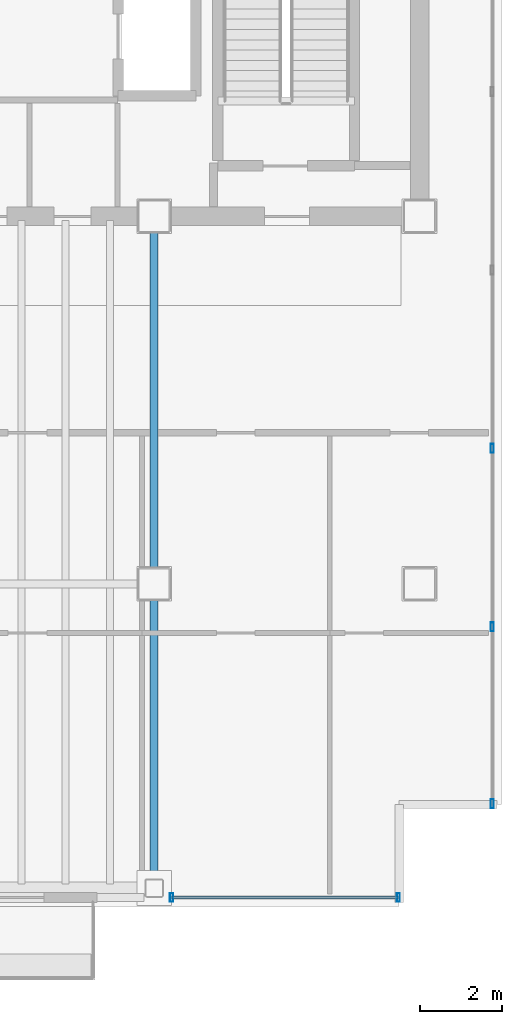
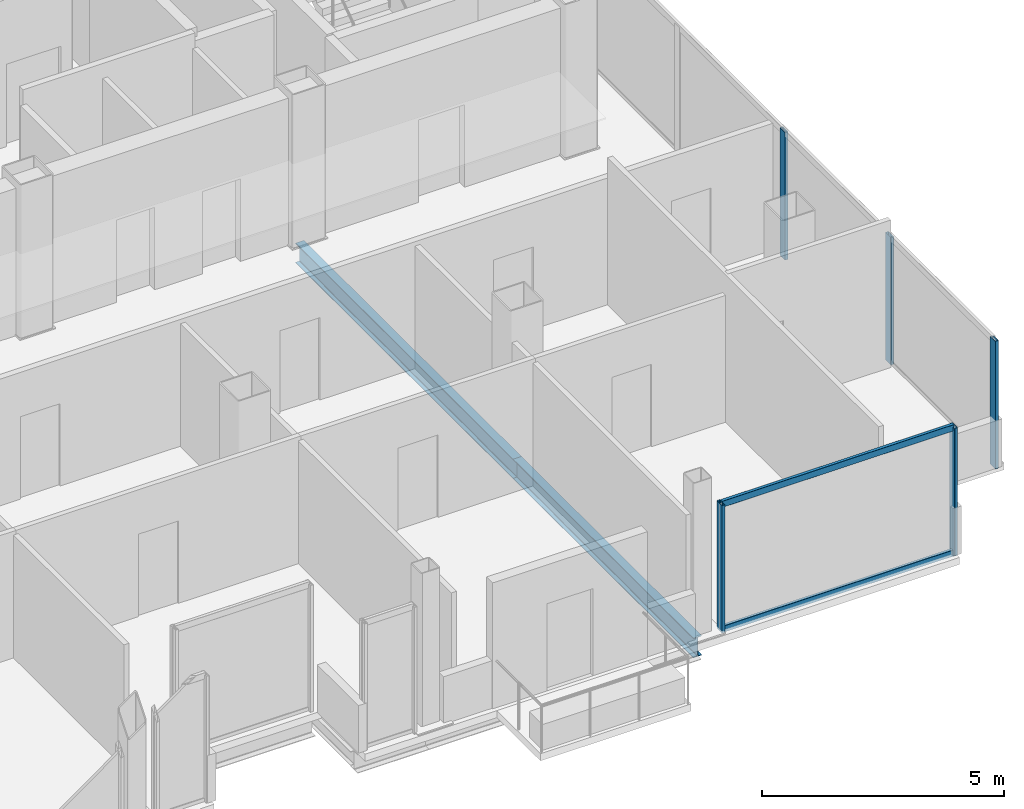
# One storey, part 10 of 17: 7 members, 2 beams, 2 elements without a shape of their own.
"""IFC4 building model written with IfcOpenShell, lengths in metres."""

from ifc_helpers import new_model, si_unit, direction, frame, origin, origin_2d, place, context, subcontext, project, spatial, hollow_rectangle, i_section, extrude, material, material_profile, profile_set, type_object, element, aggregate, save


model = new_model("IFC4")

# Units and contexts
model_context = context("Model", 3, precision=1e-05, world=origin(), true_north=direction((0.0, 1.0)))
body_context = subcontext(model_context, "Body", "Model", "MODEL_VIEW")
ifc_project = project(units=[si_unit("LENGTHUNIT", "METRE"), si_unit("AREAUNIT", "SQUARE_METRE"), si_unit("VOLUMEUNIT", "CUBIC_METRE"), si_unit("PLANEANGLEUNIT", "RADIAN"), si_unit("MASSUNIT", "GRAM", prefix="KILO")], contexts=[model_context])

# Site, building, storey
site_placement = place(None, origin())
site = spatial("IfcSite", under=ifc_project, at=site_placement, CompositionType="ELEMENT")
building_placement = place(site_placement, origin())
building = spatial("IfcBuilding", under=site, at=building_placement, Name="Noeulbin Bourse Tower", CompositionType="ELEMENT")
storey_placement = place(building_placement, frame((0.0, 0.0, 246.199951171875)))
storey = spatial("IfcBuildingStorey", under=building, at=storey_placement, Name="L61", CompositionType="ELEMENT", Elevation=246.199951171875)

# Beams
ifc_material_1 = material(Name="Steel S355", Category="steel")
ifc_material_profile_1 = material_profile(ifc_material_1, i_section(OverallWidth=0.199951171875, OverallDepth=0.5, WebThickness=0.010009765625, FlangeThickness=0.01611328125, FilletRadius=0.02001953125, at=origin_2d()), Name="H-500x200x10x16", Category="LoadBearing")
ifc_profile_set_1 = profile_set([ifc_material_profile_1], Name="Steel S355")
beam_type = type_object("IfcBeamType", Name="BM-GRD-500", PredefinedType="USERDEFINED", material=ifc_profile_set_1)
beam_1_placement = place(storey_placement, frame((37.5, 12.550048828125, -0.429931640625), z_axis=(0.0, 1.0, 0.0), x_axis=(-1.0, 0.0, 0.0)))
element("IfcBeam", 1, at=beam_1_placement, inside=storey, type_object=beam_type, Name="Tower Primary Girder NS L61-4.1", ObjectType="GIRDER", PredefinedType="USERDEFINED", context=body_context, shape_type="SweptSolid", body=[
    extrude(i_section(OverallWidth=0.199951171875, OverallDepth=0.5, WebThickness=0.010009765625, FlangeThickness=0.01611328125, FilletRadius=0.02001953125, at=origin_2d()), origin(), (0.0, 0.0, 1.0), 7.449951171875),
])
beam_2_placement = place(storey_placement, frame((37.5, 20.0, -0.429931640625), z_axis=(0.0, 1.0, 0.0), x_axis=(-1.0, 0.0, 0.0)))
element("IfcBeam", 2, at=beam_2_placement, inside=storey, type_object=beam_type, Name="Tower Primary Girder NS L61-4.2", ObjectType="GIRDER", PredefinedType="USERDEFINED", context=body_context, shape_type="SweptSolid", body=[
    extrude(i_section(OverallWidth=0.199951171875, OverallDepth=0.5, WebThickness=0.010009765625, FlangeThickness=0.01611328125, FilletRadius=0.02001953125, at=origin_2d()), origin(), (0.0, 0.0, 1.0), 9.0),
])

# Curtain wall, members
ifc_material_2 = material(Name="High-Selectivity Low-Iron Glazing", Category="glass")
curtain_wall_type = type_object("IfcCurtainWallType", Name="CW-SYS-4", PredefinedType="NOTDEFINED", material=ifc_material_2)
curtain_wall_1_placement = place(storey_placement, origin())
curtain_wall_1 = element("IfcCurtainWall", 3, at=curtain_wall_1_placement, inside=storey, type_object=curtain_wall_type, Name="Unitised Curtain Wall CW-L61-S3", PredefinedType="NOTDEFINED")
ifc_material_3 = material(Name="Anodised Aluminium 6063-T6", Category="aluminium")
ifc_material_profile_2 = material_profile(ifc_material_3, hollow_rectangle(XDim=0.074951171875, YDim=0.219970703125, WallThickness=0.0048828125, InnerFilletRadius=0.00244140625, OuterFilletRadius=0.0048828125, at=origin_2d()), Name="ALU-MULL-75x220x5", Category="LoadBearing")
ifc_profile_set_2 = profile_set([ifc_material_profile_2], Name="Anodised Aluminium 6063-T6")
member_type_1 = type_object("IfcMemberType", Name="CW-SYS-4-MUL", PredefinedType="MULLION", material=ifc_profile_set_2)
member_1_placement = place(storey_placement, frame((37.925048828125, 12.320068359375, -0.02001953125), z_axis=(0.0, 0.0, 1.0), x_axis=(1.0, 0.0, 0.0)))
member_1 = element("IfcMember", 4, at=member_1_placement, type_object=member_type_1, Name="Curtain Wall Mullion CW-L61-S3-M00", PredefinedType="MULLION", context=body_context, shape_type="SweptSolid", body=[
    extrude(hollow_rectangle(XDim=0.074951171875, YDim=0.219970703125, WallThickness=0.0048828125, InnerFilletRadius=0.00244140625, OuterFilletRadius=0.0048828125, at=origin_2d()), origin(), (0.0, 0.0, 1.0), 3.219970703125),
])
member_2_placement = place(storey_placement, frame((43.47998046875, 12.320068359375, -0.02001953125), z_axis=(0.0, 0.0, 1.0), x_axis=(1.0, 0.0, 0.0)))
member_2 = element("IfcMember", 5, at=member_2_placement, type_object=member_type_1, Name="Curtain Wall Mullion CW-L61-S3-M01", PredefinedType="MULLION", context=body_context, shape_type="SweptSolid", body=[
    extrude(hollow_rectangle(XDim=0.074951171875, YDim=0.219970703125, WallThickness=0.0048828125, InnerFilletRadius=0.00244140625, OuterFilletRadius=0.0048828125, at=origin_2d()), origin(), (0.0, 0.0, 1.0), 3.219970703125),
])

curtain_wall_2_placement = place(storey_placement, origin())
curtain_wall_2 = element("IfcCurtainWall", 6, at=curtain_wall_2_placement, inside=storey, type_object=curtain_wall_type, Name="Unitised Curtain Wall CW-L61-E", PredefinedType="NOTDEFINED")
member_3_placement = place(storey_placement, frame((45.780029296875, 14.6201171875, -0.02001953125), z_axis=(0.0, 0.0, 1.0), x_axis=(1.0, 0.0, 0.0)))
member_3 = element("IfcMember", 7, at=member_3_placement, type_object=member_type_1, Name="Curtain Wall Mullion CW-L61-E-M00", PredefinedType="MULLION", context=body_context, shape_type="SweptSolid", body=[
    extrude(hollow_rectangle(XDim=0.074951171875, YDim=0.219970703125, WallThickness=0.0048828125, InnerFilletRadius=0.00244140625, OuterFilletRadius=0.0048828125, at=origin_2d()), origin(), (0.0, 0.0, 1.0), 3.219970703125),
])
member_4_placement = place(storey_placement, frame((45.780029296875, 18.947998046875, -0.02001953125), z_axis=(0.0, 0.0, 1.0), x_axis=(1.0, 0.0, 0.0)))
member_4 = element("IfcMember", 8, at=member_4_placement, type_object=member_type_1, Name="Curtain Wall Mullion CW-L61-E-M01", PredefinedType="MULLION", context=body_context, shape_type="SweptSolid", body=[
    extrude(hollow_rectangle(XDim=0.074951171875, YDim=0.219970703125, WallThickness=0.0048828125, InnerFilletRadius=0.00244140625, OuterFilletRadius=0.0048828125, at=origin_2d()), origin(), (0.0, 0.0, 1.0), 3.219970703125),
])
member_5_placement = place(storey_placement, frame((45.780029296875, 23.31591796875, -0.02001953125), z_axis=(0.0, 0.0, 1.0), x_axis=(1.0, 0.0, 0.0)))
member_5 = element("IfcMember", 9, at=member_5_placement, type_object=member_type_1, Name="Curtain Wall Mullion CW-L61-E-M02", PredefinedType="MULLION", context=body_context, shape_type="SweptSolid", body=[
    extrude(hollow_rectangle(XDim=0.074951171875, YDim=0.219970703125, WallThickness=0.0048828125, InnerFilletRadius=0.00244140625, OuterFilletRadius=0.0048828125, at=origin_2d()), origin(), (0.0, 0.0, 1.0), 3.219970703125),
])
aggregate(curtain_wall_2, [member_3, member_4, member_5])

# Member
ifc_material_profile_3 = material_profile(ifc_material_3, hollow_rectangle(XDim=0.074951171875, YDim=0.159912109375, WallThickness=0.0048828125, InnerFilletRadius=0.00244140625, OuterFilletRadius=0.0048828125, at=origin_2d()), Name="ALU-TRAN-75x160x5", Category="LoadBearing")
ifc_profile_set_3 = profile_set([ifc_material_profile_3], Name="Anodised Aluminium 6063-T6")
member_type_2 = type_object("IfcMemberType", Name="CW-SYS-4-TRN", PredefinedType="USERDEFINED", material=ifc_profile_set_3)
member_6_placement = place(storey_placement, frame((37.93505859375, 12.320068359375, 0.010009765625), z_axis=(1.0, 0.0, 0.0), x_axis=(0.0, 1.0, 0.0)))
member_6 = element("IfcMember", 10, at=member_6_placement, type_object=member_type_2, Name="Curtain Wall Transom CW-L61-S3-T00", ObjectType="TRANSOM", PredefinedType="USERDEFINED", context=body_context, shape_type="SweptSolid", body=[
    extrude(hollow_rectangle(XDim=0.074951171875, YDim=0.159912109375, WallThickness=0.0048828125, InnerFilletRadius=0.00244140625, OuterFilletRadius=0.0048828125, at=origin_2d()), origin(), (0.0, 0.0, 1.0), 5.534912109375),
])

member_7_placement = place(storey_placement, frame((37.93505859375, 12.320068359375, 3.170166015625), z_axis=(1.0, 0.0, 0.0), x_axis=(0.0, 1.0, 0.0)))
member_7 = element("IfcMember", 11, at=member_7_placement, type_object=member_type_2, Name="Curtain Wall Transom CW-L61-S3-T01", ObjectType="TRANSOM", PredefinedType="USERDEFINED", context=body_context, shape_type="SweptSolid", body=[
    extrude(hollow_rectangle(XDim=0.074951171875, YDim=0.159912109375, WallThickness=0.0048828125, InnerFilletRadius=0.00244140625, OuterFilletRadius=0.0048828125, at=origin_2d()), origin(), (0.0, 0.0, 1.0), 5.534912109375),
])

aggregate(curtain_wall_1, [member_1, member_2, member_6, member_7])

save(model, "model.ifc")
